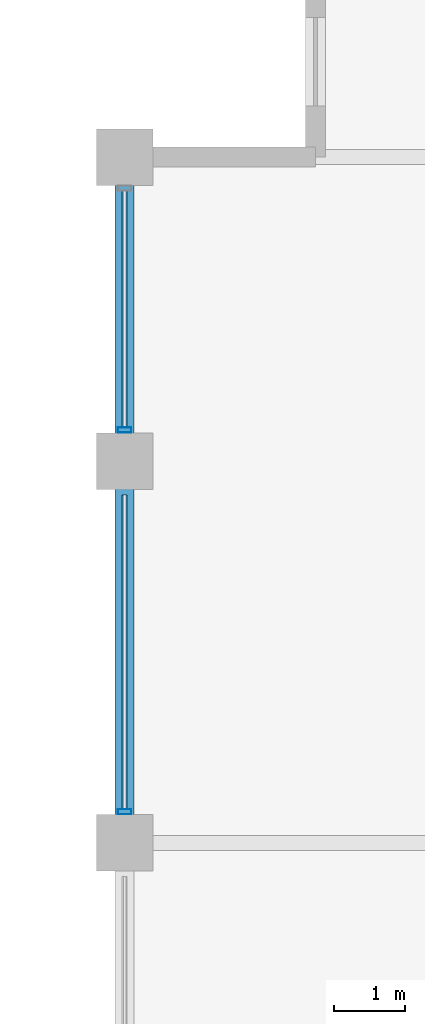
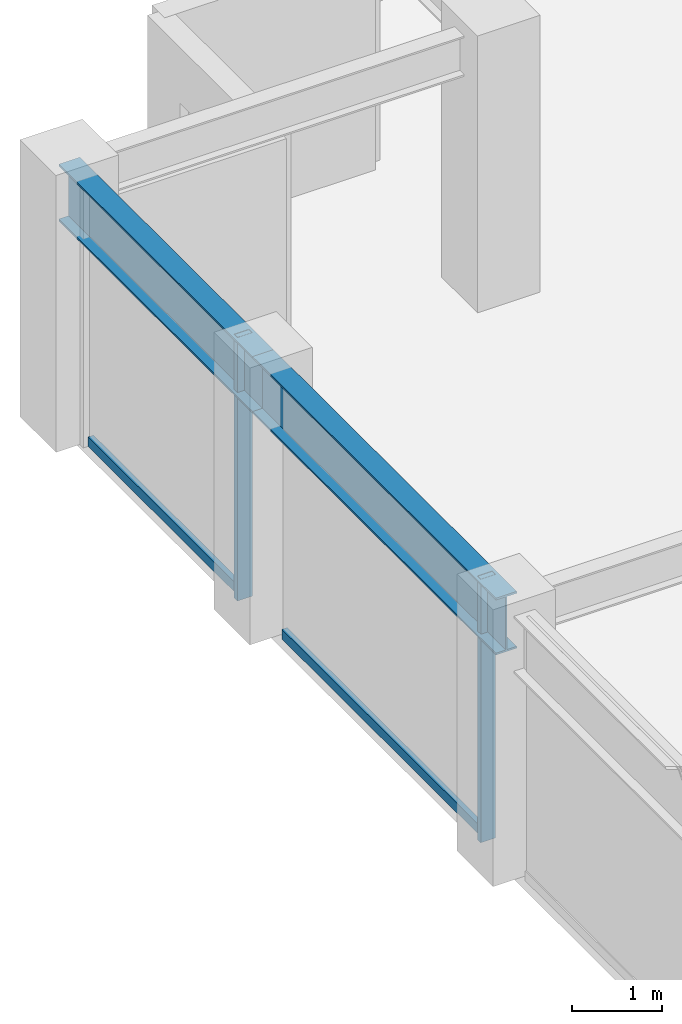
# One storey, part 16 of 32: 4 members, 2 beams, 1 element without a shape of its own.
"""IFC4 building model written with IfcOpenShell, lengths in metres."""

from ifc_helpers import new_model, si_unit, direction, frame, origin, origin_2d, place, context, subcontext, project, spatial, hollow_rectangle, i_section, extrude, material, layer, layer_set, material_profile, profile_set, type_object, element, aggregate, save


model = new_model("IFC4")

# Units and contexts
model_context = context("Model", 3, precision=1e-05, world=origin(), true_north=direction((0.0, 1.0)))
body_context = subcontext(model_context, "Body", "Model", "MODEL_VIEW")
ifc_project = project(units=[si_unit("LENGTHUNIT", "METRE"), si_unit("AREAUNIT", "SQUARE_METRE"), si_unit("VOLUMEUNIT", "CUBIC_METRE"), si_unit("PLANEANGLEUNIT", "RADIAN"), si_unit("MASSUNIT", "GRAM", prefix="KILO")], contexts=[model_context])

# Site, building, storey
site_placement = place(None, origin())
site = spatial("IfcSite", under=ifc_project, at=site_placement, CompositionType="ELEMENT")
building_placement = place(site_placement, origin())
building = spatial("IfcBuilding", under=site, at=building_placement, Name="Surkhivell Harbour Commons", CompositionType="ELEMENT")
storey_placement = place(building_placement, frame((0.0, 0.0, 234.75)))
storey = spatial("IfcBuildingStorey", under=building, at=storey_placement, Name="L61", CompositionType="ELEMENT", Elevation=234.75)

# Beams
ifc_material_1 = material(Name="Steel S355", Category="steel")
ifc_material_profile_1 = material_profile(ifc_material_1, i_section(OverallWidth=0.26806640625, OverallDepth=0.77001953125, WebThickness=0.015625, FlangeThickness=0.025390625, at=origin_2d()), Name="UB762x267x197")
ifc_profile_set_1 = profile_set([ifc_material_profile_1], Name="Steel S355")
beam_type = type_object("IfcBeamType", Name="BM-SPN-762", PredefinedType="SPANDREL", material=ifc_profile_set_1)
beam_1_placement = place(storey_placement, frame((-27.0, 10.800048828125, 3.18505859375), z_axis=(0.0, 1.0, 0.0), x_axis=(-1.0, 0.0, 0.0)))
element("IfcBeam", 1, at=beam_1_placement, inside=storey, type_object=beam_type, Name="L61 Tube Spandrel (-27.0,10.8)", PredefinedType="SPANDREL", context=body_context, shape_type="SweptSolid", body=[
    extrude(i_section(OverallWidth=0.26806640625, OverallDepth=0.77001953125, WebThickness=0.015625, FlangeThickness=0.025390625, at=origin_2d()), origin(), (0.0, 0.0, 1.0), 5.39990234375),
])
beam_2_placement = place(storey_placement, frame((-27.0, 16.199951171875, 3.18505859375), z_axis=(0.0, 1.0, 0.0), x_axis=(-1.0, 0.0, 0.0)))
element("IfcBeam", 2, at=beam_2_placement, inside=storey, type_object=beam_type, Name="L61 Tube Spandrel (-27.0,16.2)", PredefinedType="SPANDREL", context=body_context, shape_type="SweptSolid", body=[
    extrude(i_section(OverallWidth=0.26806640625, OverallDepth=0.77001953125, WebThickness=0.015625, FlangeThickness=0.025390625, at=origin_2d()), origin(), (0.0, 0.0, 1.0), 4.300048828125),
])

# Curtain wall, members
ifc_material_2 = material(Name="Anodised pale-metal aluminium and insulated glazing", Category="aluminium")
ifc_layer = layer(ifc_material_2, 0.18994140625)
ifc_layer_set = layer_set([ifc_layer], Name="Anodised pale-metal aluminium and insulated glazing")
curtain_wall_type = type_object("IfcCurtainWallType", Name="CW-SYS-Z3", PredefinedType="NOTDEFINED", material=ifc_layer_set)
curtain_wall_placement = place(storey_placement, origin())
curtain_wall = element("IfcCurtainWall", 3, at=curtain_wall_placement, inside=storey, type_object=curtain_wall_type, Name="L61 Curtain Wall CW-L61-E12R2", PredefinedType="NOTDEFINED")
ifc_material_3 = material(Name="Anodised pale-metal aluminium alloy 6063-T6", Category="aluminium")
ifc_material_profile_2 = material_profile(ifc_material_3, hollow_rectangle(XDim=0.074951171875, YDim=0.18994140625, WallThickness=0.00390625, at=origin_2d()), Name="ALU-MULL-75x190")
ifc_profile_set_2 = profile_set([ifc_material_profile_2], Name="Anodised pale-metal aluminium alloy 6063-T6")
member_type_1 = type_object("IfcMemberType", Name="CWM-190", PredefinedType="MULLION", material=ifc_profile_set_2)
member_1_placement = place(storey_placement, frame((-27.0, 11.239501953125, 0.0), z_axis=(0.0, 0.0, 1.0), x_axis=(0.0, 1.0, 0.0)))
member_1 = element("IfcMember", 4, at=member_1_placement, type_object=member_type_1, Name="CW-Z3 mullion 2", PredefinedType="MULLION", context=body_context, shape_type="SweptSolid", body=[
    extrude(hollow_rectangle(XDim=0.074951171875, YDim=0.18994140625, WallThickness=0.00390625, at=origin_2d()), origin(), (0.0, 0.0, 1.0), 3.570068359375),
])
member_2_placement = place(storey_placement, frame((-27.0, 16.639404296875, 0.0), z_axis=(0.0, 0.0, 1.0), x_axis=(0.0, 1.0, 0.0)))
member_2 = element("IfcMember", 5, at=member_2_placement, type_object=member_type_1, Name="CW-Z3 mullion 3", PredefinedType="MULLION", context=body_context, shape_type="SweptSolid", body=[
    extrude(hollow_rectangle(XDim=0.074951171875, YDim=0.18994140625, WallThickness=0.00390625, at=origin_2d()), origin(), (0.0, 0.0, 1.0), 3.570068359375),
])
ifc_material_4 = material(Name="Champagne anodised aluminium alloy 6063-T6", Category="aluminium")
ifc_material_profile_3 = material_profile(ifc_material_4, hollow_rectangle(XDim=0.070068359375, YDim=0.1298828125, WallThickness=0.00341796875, at=origin_2d()), Name="ALU-TRAN-70x130")
ifc_profile_set_3 = profile_set([ifc_material_profile_3], Name="Champagne anodised aluminium alloy 6063-T6")
member_type_2 = type_object("IfcMemberType", Name="CWT-130", PredefinedType="USERDEFINED", material=ifc_profile_set_3)
member_3_placement = place(storey_placement, frame((-27.0, 11.277099609375, 0.06494140625), z_axis=(0.0, 1.0, 0.0), x_axis=(-1.0, 0.0, 0.0)))
member_3 = element("IfcMember", 6, at=member_3_placement, type_object=member_type_2, Name="CW-Z3 transom 2.1", ObjectType="TRANSOM", PredefinedType="USERDEFINED", context=body_context, shape_type="SweptSolid", body=[
    extrude(hollow_rectangle(XDim=0.070068359375, YDim=0.1298828125, WallThickness=0.00341796875, at=origin_2d()), origin(), (0.0, 0.0, 1.0), 4.44580078125),
])
member_4_placement = place(storey_placement, frame((-27.0, 16.677001953125, 0.06494140625), z_axis=(0.0, 1.0, 0.0), x_axis=(-1.0, 0.0, 0.0)))
member_4 = element("IfcMember", 7, at=member_4_placement, type_object=member_type_2, Name="CW-Z3 transom 3.1", ObjectType="TRANSOM", PredefinedType="USERDEFINED", context=body_context, shape_type="SweptSolid", body=[
    extrude(hollow_rectangle(XDim=0.070068359375, YDim=0.1298828125, WallThickness=0.00341796875, at=origin_2d()), origin(), (0.0, 0.0, 1.0), 3.345947265625),
])
aggregate(curtain_wall, [member_1, member_3, member_2, member_4])

save(model, "model.ifc")
